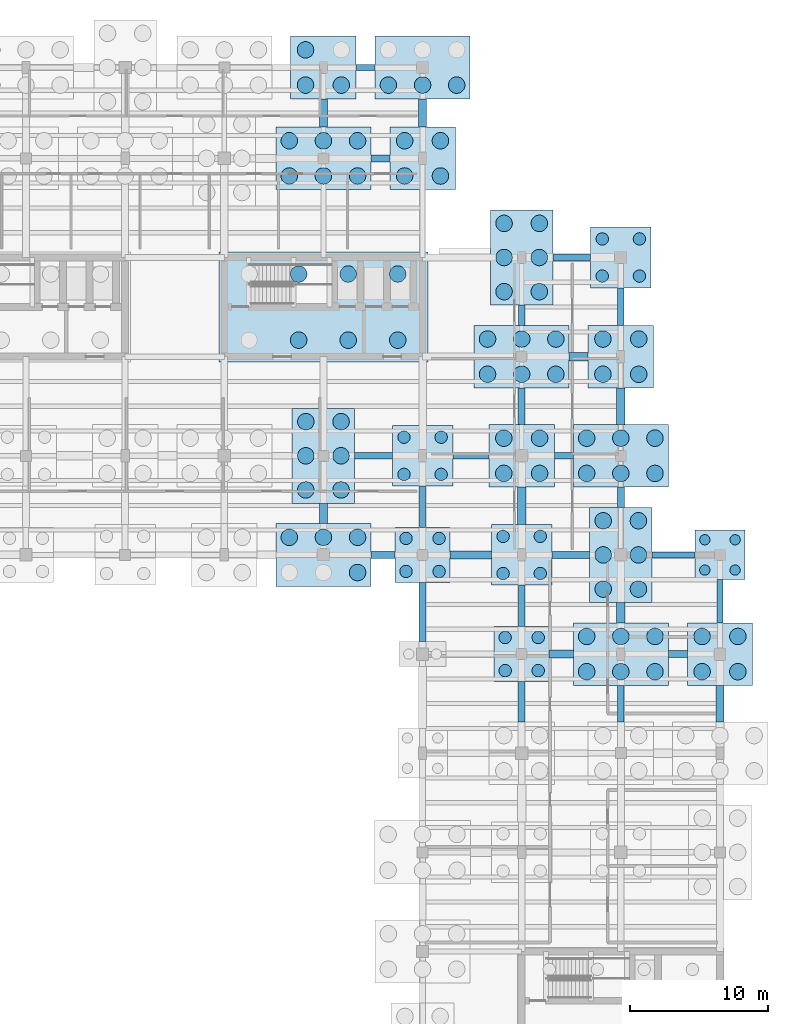
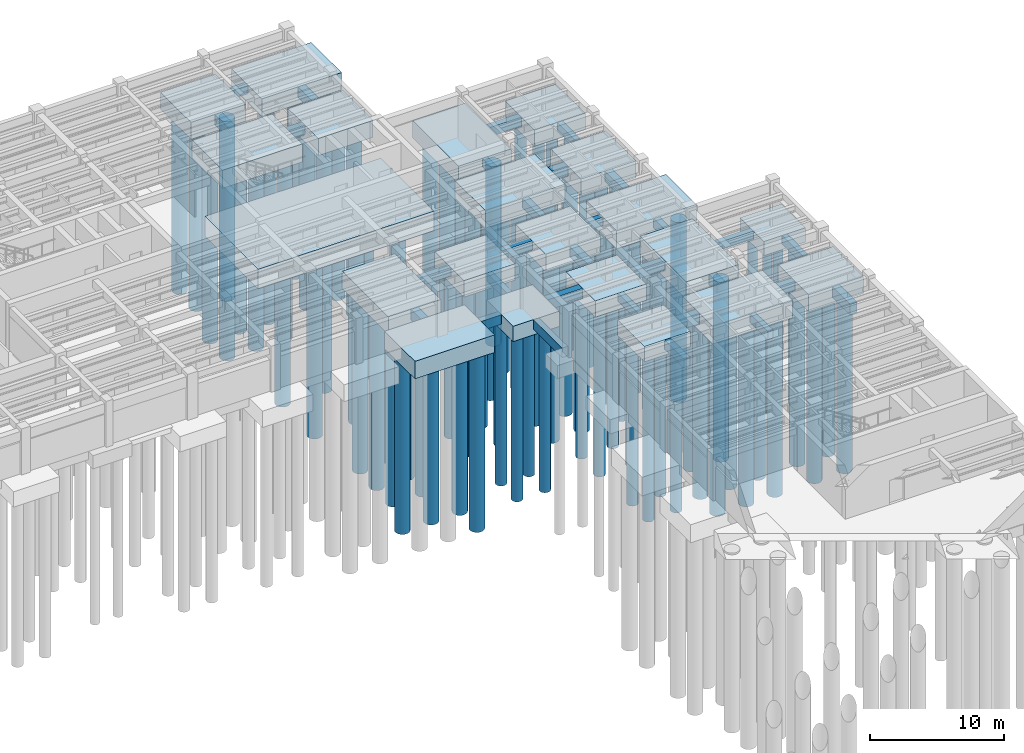
# One storey, part 4 of 22: 98 piles, 51 footings.
"""IFC4 building model written with IfcOpenShell, lengths in metres."""

from ifc_helpers import new_model, si_unit, direction, frame, origin, origin_2d, place, context, subcontext, project, spatial, rectangle, circle, extrude, material, material_profile, profile_set, type_object, element, save


model = new_model("IFC4")

# Units and contexts
model_context = context("Model", 3, precision=1e-05, world=origin(), true_north=direction((0.0, 1.0)))
body_context = subcontext(model_context, "Body", "Model", "MODEL_VIEW")
ifc_project = project(units=[si_unit("LENGTHUNIT", "METRE"), si_unit("AREAUNIT", "SQUARE_METRE"), si_unit("VOLUMEUNIT", "CUBIC_METRE"), si_unit("PLANEANGLEUNIT", "RADIAN"), si_unit("MASSUNIT", "GRAM", prefix="KILO")], contexts=[model_context])

# Site, building, storey
site_placement = place(None, origin())
site = spatial("IfcSite", under=ifc_project, at=site_placement, CompositionType="ELEMENT")
building_placement = place(site_placement, origin())
building = spatial("IfcBuilding", under=site, at=building_placement, Name="Mithqara Police Headquarters", CompositionType="ELEMENT")
storey_placement = place(building_placement, frame((0.0, 0.0, -8.39990234375)))
storey = spatial("IfcBuildingStorey", under=building, at=storey_placement, Name="B2", CompositionType="ELEMENT", Elevation=-8.39990234375)

# Footings
ifc_material = material(Name="Concrete C40/50", Category="concrete")
footing_type_1 = type_object("IfcFootingType", Name="CORE MAT 15200X8000X1800", PredefinedType="PILE_CAP", material=ifc_material)
footing_1_placement = place(storey_placement, frame((137.39990234375, 96.60009765625, -1.80029296875), z_axis=(0.0, 0.0, 1.0), x_axis=(1.0, 0.0, 0.0)))
element("IfcFooting", 1, at=footing_1_placement, inside=storey, type_object=footing_type_1, Name="Core C2 Command East Piled Core Raft", PredefinedType="PILE_CAP", context=body_context, shape_type="SweptSolid", body=[
    extrude(rectangle(XDim=15.199951171875, YDim=8.0, at=origin_2d()), origin(), (0.0, 0.0, 1.0), 1.800048828125),
])
footing_type_2 = type_object("IfcFootingType", Name="GROUND BEAM 450X750", PredefinedType="FOOTING_BEAM", material=ifc_material)
footing_2_placement = place(storey_placement, frame((141.03759765625, 85.800048828125, -0.75), z_axis=(0.0, 0.0, 1.0), x_axis=(1.0, 0.0, 0.0)))
element("IfcFooting", 2, at=footing_2_placement, inside=storey, type_object=footing_type_2, Name="B2 Ground Tie Beam 20-21/N", PredefinedType="FOOTING_BEAM", context=body_context, shape_type="SweptSolid", body=[
    extrude(rectangle(XDim=2.72509765625, YDim=0.449951171875, at=origin_2d()), origin(), (0.0, 0.0, 1.0), 0.75),
])
footing_3_placement = place(storey_placement, frame((140.46240234375, 114.0, -0.75), z_axis=(0.0, 0.0, 1.0), x_axis=(1.0, 0.0, 0.0)))
element("IfcFooting", 3, at=footing_3_placement, inside=storey, type_object=footing_type_2, Name="B2 Ground Tie Beam 20-21/S", PredefinedType="FOOTING_BEAM", context=body_context, shape_type="SweptSolid", body=[
    extrude(rectangle(XDim=1.375, YDim=0.449951171875, at=origin_2d()), origin(), (0.0, 0.0, 1.0), 0.75),
])
for number, where, z_axis, x_axis, name in (
    (4, (144.60009765625, 82.10009765625, -0.75), (0.0, 0.0, 1.0), (1.0, 0.0, 0.0), "B2 Ground Tie Beam 21/M-N"),
    (5, (151.800048828125, 74.89990234375, -0.75), (0.0, 0.0, 1.0), (1.0, 0.0, 0.0), "B2 Ground Tie Beam 22/L-M"),
):
    element("IfcFooting", number, at=place(storey_placement, frame(where, z_axis=z_axis, x_axis=x_axis)), inside=storey, type_object=footing_type_2, Name=name, PredefinedType="FOOTING_BEAM", context=body_context, shape_type="SweptSolid", body=[
        extrude(rectangle(XDim=0.449951171875, YDim=3.0, at=origin_2d()), origin(), (0.0, 0.0, 1.0), 0.75),
    ])
footing_4_placement = place(storey_placement, frame((154.862548828125, 85.800048828125, -0.75), z_axis=(0.0, 0.0, 1.0), x_axis=(1.0, 0.0, 0.0)))
element("IfcFooting", 6, at=footing_4_placement, inside=storey, type_object=footing_type_2, Name="B2 Ground Tie Beam 22-23/N", PredefinedType="FOOTING_BEAM", context=body_context, shape_type="SweptSolid", body=[
    extrude(rectangle(XDim=1.375, YDim=0.449951171875, at=origin_2d()), origin(), (0.0, 0.0, 1.0), 0.75),
])
footing_5_placement = place(storey_placement, frame((151.800048828125, 96.012451171875, -0.75), z_axis=(0.0, 0.0, 1.0), x_axis=(1.0, 0.0, 0.0)))
element("IfcFooting", 7, at=footing_5_placement, inside=storey, type_object=footing_type_2, Name="B2 Ground Tie Beam 22/P-Q", PredefinedType="FOOTING_BEAM", context=body_context, shape_type="SweptSolid", body=[
    extrude(rectangle(XDim=0.449951171875, YDim=1.47509765625, at=origin_2d()), origin(), (0.0, 0.0, 1.0), 0.75),
])
footing_6_placement = place(storey_placement, frame((159.0, 67.800048828125, -0.75), z_axis=(0.0, 0.0, 1.0), x_axis=(1.0, 0.0, 0.0)))
element("IfcFooting", 8, at=footing_6_placement, inside=storey, type_object=footing_type_2, Name="B2 Ground Tie Beam 23/K-L", PredefinedType="FOOTING_BEAM", context=body_context, shape_type="SweptSolid", body=[
    extrude(rectangle(XDim=0.449951171875, YDim=2.64990234375, at=origin_2d()), origin(), (0.0, 0.0, 1.0), 0.75),
])
footing_7_placement = place(storey_placement, frame((162.83740234375, 78.60009765625, -0.75), z_axis=(0.0, 0.0, 1.0), x_axis=(1.0, 0.0, 0.0)))
element("IfcFooting", 9, at=footing_7_placement, inside=storey, type_object=footing_type_2, Name="B2 Ground Tie Beam 23-24/M", PredefinedType="FOOTING_BEAM", context=body_context, shape_type="SweptSolid", body=[
    extrude(rectangle(XDim=3.125, YDim=0.449951171875, at=origin_2d()), origin(), (0.0, 0.0, 1.0), 0.75),
])
footing_8_placement = place(storey_placement, frame((159.0, 96.637451171875, -0.75), z_axis=(0.0, 0.0, 1.0), x_axis=(1.0, 0.0, 0.0)))
element("IfcFooting", 10, at=footing_8_placement, inside=storey, type_object=footing_type_2, Name="B2 Ground Tie Beam 23/P-Q", PredefinedType="FOOTING_BEAM", context=body_context, shape_type="SweptSolid", body=[
    extrude(rectangle(XDim=0.449951171875, YDim=2.72509765625, at=origin_2d()), origin(), (0.0, 0.0, 1.0), 0.75),
])
footing_9_placement = place(storey_placement, frame((166.199951171875, 75.237548828125, -0.75), z_axis=(0.0, 0.0, 1.0), x_axis=(1.0, 0.0, 0.0)))
element("IfcFooting", 11, at=footing_9_placement, inside=storey, type_object=footing_type_2, Name="B2 Ground Tie Beam 24/L-M", PredefinedType="FOOTING_BEAM", context=body_context, shape_type="SweptSolid", body=[
    extrude(rectangle(XDim=0.449951171875, YDim=3.125, at=origin_2d()), origin(), (0.0, 0.0, 1.0), 0.75),
])
footing_type_3 = type_object("IfcFootingType", Name="GROUND BEAM 500X850", PredefinedType="FOOTING_BEAM", material=ifc_material)
footing_10_placement = place(storey_placement, frame((141.72509765625, 78.60009765625, -0.85009765625), z_axis=(0.0, 0.0, 1.0), x_axis=(1.0, 0.0, 0.0)))
element("IfcFooting", 12, at=footing_10_placement, inside=storey, type_object=footing_type_3, Name="B2 Ground Tie Beam 20-21/M", PredefinedType="FOOTING_BEAM", context=body_context, shape_type="SweptSolid", body=[
    extrude(rectangle(XDim=1.75, YDim=0.5, at=origin_2d()), origin(), (0.0, 0.0, 1.0), 0.85009765625),
])
footing_11_placement = place(storey_placement, frame((141.53759765625, 107.39990234375, -0.85009765625), z_axis=(0.0, 0.0, 1.0), x_axis=(1.0, 0.0, 0.0)))
element("IfcFooting", 13, at=footing_11_placement, inside=storey, type_object=footing_type_3, Name="B2 Ground Tie Beam 20-21/R", PredefinedType="FOOTING_BEAM", context=body_context, shape_type="SweptSolid", body=[
    extrude(rectangle(XDim=1.375, YDim=0.5, at=origin_2d()), origin(), (0.0, 0.0, 1.0), 0.85009765625),
])
footing_12_placement = place(storey_placement, frame((144.60009765625, 74.449951171875, -0.85009765625), z_axis=(0.0, 0.0, 1.0), x_axis=(1.0, 0.0, 0.0)))
element("IfcFooting", 14, at=footing_12_placement, inside=storey, type_object=footing_type_3, Name="B2 Ground Tie Beam 21/L-M", PredefinedType="FOOTING_BEAM", context=body_context, shape_type="SweptSolid", body=[
    extrude(rectangle(XDim=0.5, YDim=4.300048828125, at=origin_2d()), origin(), (0.0, 0.0, 1.0), 0.85009765625),
])
footing_13_placement = place(storey_placement, frame((148.112548828125, 85.800048828125, -0.85009765625), z_axis=(0.0, 0.0, 1.0), x_axis=(1.0, 0.0, 0.0)))
element("IfcFooting", 15, at=footing_13_placement, inside=storey, type_object=footing_type_3, Name="B2 Ground Tie Beam 21-22/N", PredefinedType="FOOTING_BEAM", context=body_context, shape_type="SweptSolid", body=[
    extrude(rectangle(XDim=2.625, YDim=0.5, at=origin_2d()), origin(), (0.0, 0.0, 1.0), 0.85009765625),
])
footing_14_placement = place(storey_placement, frame((151.800048828125, 67.9375, -0.85009765625), z_axis=(0.0, 0.0, 1.0), x_axis=(1.0, 0.0, 0.0)))
element("IfcFooting", 16, at=footing_14_placement, inside=storey, type_object=footing_type_3, Name="B2 Ground Tie Beam 22/K-L", PredefinedType="FOOTING_BEAM", context=body_context, shape_type="SweptSolid", body=[
    extrude(rectangle(XDim=0.5, YDim=2.925048828125, at=origin_2d()), origin(), (0.0, 0.0, 1.0), 0.85009765625),
])
footing_15_placement = place(storey_placement, frame((155.362548828125, 78.60009765625, -0.85009765625), z_axis=(0.0, 0.0, 1.0), x_axis=(1.0, 0.0, 0.0)))
element("IfcFooting", 17, at=footing_15_placement, inside=storey, type_object=footing_type_3, Name="B2 Ground Tie Beam 22-23/M", PredefinedType="FOOTING_BEAM", context=body_context, shape_type="SweptSolid", body=[
    extrude(rectangle(XDim=2.72509765625, YDim=0.5, at=origin_2d()), origin(), (0.0, 0.0, 1.0), 0.85009765625),
])
footing_16_placement = place(storey_placement, frame((151.800048828125, 89.39990234375, -0.85009765625), z_axis=(0.0, 0.0, 1.0), x_axis=(1.0, 0.0, 0.0)))
element("IfcFooting", 18, at=footing_16_placement, inside=storey, type_object=footing_type_3, Name="B2 Ground Tie Beam 22/N-P", PredefinedType="FOOTING_BEAM", context=body_context, shape_type="SweptSolid", body=[
    extrude(rectangle(XDim=0.5, YDim=2.64990234375, at=origin_2d()), origin(), (0.0, 0.0, 1.0), 0.85009765625),
])
footing_17_placement = place(storey_placement, frame((155.4375, 100.199951171875, -0.85009765625), z_axis=(0.0, 0.0, 1.0), x_axis=(1.0, 0.0, 0.0)))
element("IfcFooting", 19, at=footing_17_placement, inside=storey, type_object=footing_type_3, Name="B2 Ground Tie Beam 22-23/Q", PredefinedType="FOOTING_BEAM", context=body_context, shape_type="SweptSolid", body=[
    extrude(rectangle(XDim=2.72509765625, YDim=0.5, at=origin_2d()), origin(), (0.0, 0.0, 1.0), 0.85009765625),
])
footing_18_placement = place(storey_placement, frame((163.137451171875, 71.39990234375, -0.85009765625), z_axis=(0.0, 0.0, 1.0), x_axis=(1.0, 0.0, 0.0)))
element("IfcFooting", 20, at=footing_18_placement, inside=storey, type_object=footing_type_3, Name="B2 Ground Tie Beam 23-24/L", PredefinedType="FOOTING_BEAM", context=body_context, shape_type="SweptSolid", body=[
    extrude(rectangle(XDim=1.375, YDim=0.5, at=origin_2d()), origin(), (0.0, 0.0, 1.0), 0.85009765625),
])
footing_19_placement = place(storey_placement, frame((159.0, 82.78759765625, -0.85009765625), z_axis=(0.0, 0.0, 1.0), x_axis=(1.0, 0.0, 0.0)))
element("IfcFooting", 21, at=footing_19_placement, inside=storey, type_object=footing_type_3, Name="B2 Ground Tie Beam 23/M-N", PredefinedType="FOOTING_BEAM", context=body_context, shape_type="SweptSolid", body=[
    extrude(rectangle(XDim=0.5, YDim=1.47509765625, at=origin_2d()), origin(), (0.0, 0.0, 1.0), 0.85009765625),
])
footing_type_4 = type_object("IfcFootingType", Name="GROUND BEAM 600X950", PredefinedType="FOOTING_BEAM", material=ifc_material)
footing_20_placement = place(storey_placement, frame((137.39990234375, 81.612548828125, -0.9501953125), z_axis=(0.0, 0.0, 1.0), x_axis=(1.0, 0.0, 0.0)))
element("IfcFooting", 22, at=footing_20_placement, inside=storey, type_object=footing_type_4, Name="B2 Ground Tie Beam 20/M-N", PredefinedType="FOOTING_BEAM", context=body_context, shape_type="SweptSolid", body=[
    extrude(rectangle(XDim=0.60009765625, YDim=1.47509765625, at=origin_2d()), origin(), (0.0, 0.0, 1.0), 0.949951171875),
])
footing_21_placement = place(storey_placement, frame((137.39990234375, 110.699951171875, -0.9501953125), z_axis=(0.0, 0.0, 1.0), x_axis=(1.0, 0.0, 0.0)))
element("IfcFooting", 23, at=footing_21_placement, inside=storey, type_object=footing_type_4, Name="B2 Ground Tie Beam 20/R-S", PredefinedType="FOOTING_BEAM", context=body_context, shape_type="SweptSolid", body=[
    extrude(rectangle(XDim=0.60009765625, YDim=2.050048828125, at=origin_2d()), origin(), (0.0, 0.0, 1.0), 0.949951171875),
])
footing_22_placement = place(storey_placement, frame((148.10009765625, 78.60009765625, -0.9501953125), z_axis=(0.0, 0.0, 1.0), x_axis=(1.0, 0.0, 0.0)))
element("IfcFooting", 24, at=footing_22_placement, inside=storey, type_object=footing_type_4, Name="B2 Ground Tie Beam 21-22/M", PredefinedType="FOOTING_BEAM", context=body_context, shape_type="SweptSolid", body=[
    extrude(rectangle(XDim=3.0, YDim=0.60009765625, at=origin_2d()), origin(), (0.0, 0.0, 1.0), 0.949951171875),
])
footing_23_placement = place(storey_placement, frame((144.60009765625, 110.699951171875, -0.9501953125), z_axis=(0.0, 0.0, 1.0), x_axis=(1.0, 0.0, 0.0)))
element("IfcFooting", 25, at=footing_23_placement, inside=storey, type_object=footing_type_4, Name="B2 Ground Tie Beam 21/R-S", PredefinedType="FOOTING_BEAM", context=body_context, shape_type="SweptSolid", body=[
    extrude(rectangle(XDim=0.60009765625, YDim=2.050048828125, at=origin_2d()), origin(), (0.0, 0.0, 1.0), 0.949951171875),
])
footing_24_placement = place(storey_placement, frame((154.675048828125, 71.39990234375, -0.9501953125), z_axis=(0.0, 0.0, 1.0), x_axis=(1.0, 0.0, 0.0)))
element("IfcFooting", 26, at=footing_24_placement, inside=storey, type_object=footing_type_4, Name="B2 Ground Tie Beam 22-23/L", PredefinedType="FOOTING_BEAM", context=body_context, shape_type="SweptSolid", body=[
    extrude(rectangle(XDim=1.75, YDim=0.60009765625, at=origin_2d()), origin(), (0.0, 0.0, 1.0), 0.949951171875),
])
footing_25_placement = place(storey_placement, frame((151.800048828125, 82.16259765625, -0.9501953125), z_axis=(0.0, 0.0, 1.0), x_axis=(1.0, 0.0, 0.0)))
element("IfcFooting", 27, at=footing_25_placement, inside=storey, type_object=footing_type_4, Name="B2 Ground Tie Beam 22/M-N", PredefinedType="FOOTING_BEAM", context=body_context, shape_type="SweptSolid", body=[
    extrude(rectangle(XDim=0.60009765625, YDim=2.72509765625, at=origin_2d()), origin(), (0.0, 0.0, 1.0), 0.949951171875),
])
footing_26_placement = place(storey_placement, frame((155.9375, 93.0, -0.9501953125), z_axis=(0.0, 0.0, 1.0), x_axis=(1.0, 0.0, 0.0)))
element("IfcFooting", 28, at=footing_26_placement, inside=storey, type_object=footing_type_4, Name="B2 Ground Tie Beam 22-23/P", PredefinedType="FOOTING_BEAM", context=body_context, shape_type="SweptSolid", body=[
    extrude(rectangle(XDim=1.375, YDim=0.60009765625, at=origin_2d()), origin(), (0.0, 0.0, 1.0), 0.949951171875),
])
footing_27_placement = place(storey_placement, frame((159.0, 74.41259765625, -0.9501953125), z_axis=(0.0, 0.0, 1.0), x_axis=(1.0, 0.0, 0.0)))
element("IfcFooting", 29, at=footing_27_placement, inside=storey, type_object=footing_type_4, Name="B2 Ground Tie Beam 23/L-M", PredefinedType="FOOTING_BEAM", context=body_context, shape_type="SweptSolid", body=[
    extrude(rectangle(XDim=0.60009765625, YDim=1.47509765625, at=origin_2d()), origin(), (0.0, 0.0, 1.0), 0.949951171875),
])
for number, where, z_axis, x_axis, name in (
    (30, (159.0, 89.39990234375, -0.9501953125), (0.0, 0.0, 1.0), (1.0, 0.0, 0.0), "B2 Ground Tie Beam 23/N-P"),
    (31, (166.199951171875, 67.800048828125, -0.9501953125), (0.0, 0.0, 1.0), (1.0, 0.0, 0.0), "B2 Ground Tie Beam 24/K-L"),
):
    element("IfcFooting", number, at=place(storey_placement, frame(where, z_axis=z_axis, x_axis=x_axis)), inside=storey, type_object=footing_type_4, Name=name, PredefinedType="FOOTING_BEAM", context=body_context, shape_type="SweptSolid", body=[
        extrude(rectangle(XDim=0.60009765625, YDim=2.64990234375, at=origin_2d()), origin(), (0.0, 0.0, 1.0), 0.949951171875),
    ])
footing_type_5 = type_object("IfcFootingType", Name="PILE CAP 4P 3600X3600X1300", PredefinedType="PILE_CAP", material=ifc_material)
footing_28_placement = place(storey_placement, frame((166.199951171875, 78.60009765625, -1.30029296875), z_axis=(0.0, 0.0, 1.0), x_axis=(1.0, 0.0, 0.0)))
element("IfcFooting", 32, at=footing_28_placement, inside=storey, type_object=footing_type_5, Name="B2 Pile Cap 24/M", PredefinedType="PILE_CAP", context=body_context, shape_type="SweptSolid", body=[
    extrude(rectangle(XDim=3.60009765625, YDim=3.60009765625, at=origin_2d()), origin(), (0.0, 0.0, 1.0), 1.300048828125),
])
footing_type_6 = type_object("IfcFootingType", Name="PILE CAP 4P 4000X4000X1400", PredefinedType="PILE_CAP", material=ifc_material)
for number, where, z_axis, x_axis, name in (
    (33, (144.60009765625, 78.60009765625, -1.400146484375), (0.0, 0.0, 1.0), (1.0, 0.0, 0.0), "B2 Pile Cap 21/M"),
    (34, (151.800048828125, 71.39990234375, -1.400146484375), (0.0, 0.0, 1.0), (1.0, 0.0, 0.0), "B2 Pile Cap 22/L"),
):
    element("IfcFooting", number, at=place(storey_placement, frame(where, z_axis=z_axis, x_axis=x_axis)), inside=storey, type_object=footing_type_6, Name=name, PredefinedType="PILE_CAP", context=body_context, shape_type="SweptSolid", body=[
        extrude(rectangle(XDim=4.0, YDim=4.0, at=origin_2d()), origin(), (0.0, 0.0, 1.0), 1.39990234375),
    ])
footing_type_7 = type_object("IfcFootingType", Name="PILE CAP 4P 4400X4400X1500", PredefinedType="PILE_CAP", material=ifc_material)
for number, where, z_axis, x_axis, name in (
    (35, (144.60009765625, 85.800048828125, -1.5), (0.0, 0.0, 1.0), (1.0, 0.0, 0.0), "B2 Pile Cap 21/N"),
    (36, (151.800048828125, 78.60009765625, -1.5), (0.0, 0.0, 1.0), (1.0, 0.0, 0.0), "B2 Pile Cap 22/M"),
    (37, (159.0, 100.199951171875, -1.5), (0.0, 0.0, 1.0), (1.0, 0.0, 0.0), "B2 Pile Cap 23/Q"),
):
    element("IfcFooting", number, at=place(storey_placement, frame(where, z_axis=z_axis, x_axis=x_axis)), inside=storey, type_object=footing_type_7, Name=name, PredefinedType="PILE_CAP", context=body_context, shape_type="SweptSolid", body=[
        extrude(rectangle(XDim=4.39990234375, YDim=4.39990234375, at=origin_2d()), origin(), (0.0, 0.0, 1.0), 1.5),
    ])
footing_type_8 = type_object("IfcFootingType", Name="PILE CAP 4P 4600X4000X1550", PredefinedType="PILE_CAP", material=ifc_material)
for number, where, z_axis, x_axis, name in (
    (38, (137.39990234375, 114.0, -1.55029296875), (0.0, 0.0, 1.0), (1.0, 0.0, 0.0), "B2 Pile Cap 20/S"),
    (39, (144.60009765625, 107.39990234375, -1.55029296875), (0.0, 0.0, 1.0), (1.0, 0.0, 0.0), "B2 Pile Cap 21/R"),
    (40, (151.800048828125, 85.800048828125, -1.55029296875), (0.0, 0.0, 1.0), (1.0, 0.0, 0.0), "B2 Pile Cap 22/N"),
    (41, (159.0, 93.0, -1.55029296875), (0.0, 0.0, 1.0), (1.0, 0.0, 0.0), "B2 Pile Cap 23/P"),
    (42, (166.199951171875, 71.39990234375, -1.55029296875), (0.0, 0.0, 1.0), (1.0, 0.0, 0.0), "B2 Pile Cap 24/L"),
):
    element("IfcFooting", number, at=place(storey_placement, frame(where, z_axis=z_axis, x_axis=x_axis)), inside=storey, type_object=footing_type_8, Name=name, PredefinedType="PILE_CAP", context=body_context, shape_type="SweptSolid", body=[
        extrude(rectangle(XDim=4.75, YDim=4.550048828125, at=origin_2d()), origin(), (0.0, 0.0, 1.0), 1.550048828125),
    ])
footing_type_9 = type_object("IfcFootingType", Name="PILE CAP 6P 3800X6000X1600", PredefinedType="PILE_CAP", material=ifc_material)
for number, where, z_axis, x_axis, name in (
    (43, (137.39990234375, 85.800048828125, -1.60009765625), (0.0, 0.0, 1.0), (1.0, 0.0, 0.0), "B2 Pile Cap 20/N"),
    (44, (151.800048828125, 100.199951171875, -1.60009765625), (0.0, 0.0, 1.0), (1.0, 0.0, 0.0), "B2 Pile Cap 22/Q"),
    (45, (159.0, 78.60009765625, -1.60009765625), (0.0, 0.0, 1.0), (1.0, 0.0, 0.0), "B2 Pile Cap 23/M"),
):
    element("IfcFooting", number, at=place(storey_placement, frame(where, z_axis=z_axis, x_axis=x_axis)), inside=storey, type_object=footing_type_9, Name=name, PredefinedType="PILE_CAP", context=body_context, shape_type="SweptSolid", body=[
        extrude(rectangle(XDim=4.550048828125, YDim=6.89990234375, at=origin_2d()), origin(), (0.0, 0.0, 1.0), 1.60009765625),
    ])
footing_type_10 = type_object("IfcFootingType", Name="PILE CAP 6P 6000X3800X1600", PredefinedType="PILE_CAP", material=ifc_material)
for number, where, z_axis, x_axis, name in (
    (46, (137.39990234375, 78.60009765625, -1.60009765625), (0.0, 0.0, 1.0), (1.0, 0.0, 0.0), "B2 Pile Cap 20/M"),
    (47, (144.60009765625, 114.0, -1.60009765625), (0.0, 0.0, 1.0), (1.0, 0.0, 0.0), "B2 Pile Cap 21/S"),
    (48, (151.800048828125, 93.0, -1.60009765625), (0.0, 0.0, 1.0), (1.0, 0.0, 0.0), "B2 Pile Cap 22/P"),
    (49, (159.0, 71.39990234375, -1.60009765625), (0.0, 0.0, 1.0), (1.0, 0.0, 0.0), "B2 Pile Cap 23/L"),
):
    element("IfcFooting", number, at=place(storey_placement, frame(where, z_axis=z_axis, x_axis=x_axis)), inside=storey, type_object=footing_type_10, Name=name, PredefinedType="PILE_CAP", context=body_context, shape_type="SweptSolid", body=[
        extrude(rectangle(XDim=6.89990234375, YDim=4.550048828125, at=origin_2d()), origin(), (0.0, 0.0, 1.0), 1.60009765625),
    ])
footing_type_11 = type_object("IfcFootingType", Name="PILE CAP 6P 6200X4000X1650", PredefinedType="PILE_CAP", material=ifc_material)
for number, where, z_axis, x_axis, name in (
    (50, (137.39990234375, 107.39990234375, -1.650146484375), (0.0, 0.0, 1.0), (1.0, 0.0, 0.0), "B2 Pile Cap 20/R"),
    (51, (159.0, 85.800048828125, -1.650146484375), (0.0, 0.0, 1.0), (1.0, 0.0, 0.0), "B2 Pile Cap 23/N"),
):
    element("IfcFooting", number, at=place(storey_placement, frame(where, z_axis=z_axis, x_axis=x_axis)), inside=storey, type_object=footing_type_11, Name=name, PredefinedType="PILE_CAP", context=body_context, shape_type="SweptSolid", body=[
        extrude(rectangle(XDim=6.89990234375, YDim=4.550048828125, at=origin_2d()), origin(), (0.0, 0.0, 1.0), 1.64990234375),
    ])

# Piles
ifc_material_profile_1 = material_profile(ifc_material, circle(Radius=0.60009765625, at=origin_2d()), Name="PILE D1200")
ifc_profile_set_1 = profile_set([ifc_material_profile_1], Name="Concrete C40/50")
pile_type_1 = type_object("IfcPileType", Name="PILE D1200 16M", PredefinedType="BORED", material=ifc_profile_set_1)
for number, where, z_axis, x_axis, name in (
    (52, (135.60009765625, 94.199951171875, -1.650146484375), (0.0, 0.0, -1.0), (1.0, 0.0, 0.0), "Core C2 Command East Bored Pile 2"),
    (53, (139.199951171875, 94.199951171875, -1.650146484375), (0.0, 0.0, -1.0), (1.0, 0.0, 0.0), "Core C2 Command East Bored Pile 3"),
    (54, (142.800048828125, 94.199951171875, -1.650146484375), (0.0, 0.0, -1.0), (1.0, 0.0, 0.0), "Core C2 Command East Bored Pile 4"),
    (55, (135.60009765625, 99.0, -1.650146484375), (0.0, 0.0, -1.0), (1.0, 0.0, 0.0), "Core C2 Command East Bored Pile 6"),
    (56, (139.199951171875, 99.0, -1.650146484375), (0.0, 0.0, -1.0), (1.0, 0.0, 0.0), "Core C2 Command East Bored Pile 7"),
    (57, (142.800048828125, 99.0, -1.650146484375), (0.0, 0.0, -1.0), (1.0, 0.0, 0.0), "Core C2 Command East Bored Pile 8"),
    (58, (139.8798828125, 77.320068359375, -1.4501953125), (0.0, 0.0, -1.0), (1.0, 0.0, 0.0), "Bored Pile 20/M-3"),
    (59, (134.919921875, 79.8798828125, -1.4501953125), (0.0, 0.0, -1.0), (1.0, 0.0, 0.0), "Bored Pile 20/M-4"),
    (60, (137.39990234375, 79.8798828125, -1.4501953125), (0.0, 0.0, -1.0), (1.0, 0.0, 0.0), "Bored Pile 20/M-5"),
    (61, (139.8798828125, 79.8798828125, -1.4501953125), (0.0, 0.0, -1.0), (1.0, 0.0, 0.0), "Bored Pile 20/M-6"),
    (62, (136.1201171875, 83.320068359375, -1.4501953125), (0.0, 0.0, -1.0), (1.0, 0.0, 0.0), "Bored Pile 20/N-1"),
    (63, (138.679931640625, 83.320068359375, -1.4501953125), (0.0, 0.0, -1.0), (1.0, 0.0, 0.0), "Bored Pile 20/N-2"),
    (64, (136.1201171875, 85.800048828125, -1.4501953125), (0.0, 0.0, -1.0), (1.0, 0.0, 0.0), "Bored Pile 20/N-3"),
    (65, (138.679931640625, 85.800048828125, -1.4501953125), (0.0, 0.0, -1.0), (1.0, 0.0, 0.0), "Bored Pile 20/N-4"),
    (66, (136.1201171875, 88.280029296875, -1.4501953125), (0.0, 0.0, -1.0), (1.0, 0.0, 0.0), "Bored Pile 20/N-5"),
    (67, (138.679931640625, 88.280029296875, -1.4501953125), (0.0, 0.0, -1.0), (1.0, 0.0, 0.0), "Bored Pile 20/N-6"),
    (68, (134.919921875, 106.1201171875, -1.5), (0.0, 0.0, -1.0), (1.0, 0.0, 0.0), "Bored Pile 20/R-1"),
    (69, (137.39990234375, 106.1201171875, -1.5), (0.0, 0.0, -1.0), (1.0, 0.0, 0.0), "Bored Pile 20/R-2"),
    (70, (139.8798828125, 106.1201171875, -1.5), (0.0, 0.0, -1.0), (1.0, 0.0, 0.0), "Bored Pile 20/R-3"),
    (71, (134.919921875, 108.679931640625, -1.5), (0.0, 0.0, -1.0), (1.0, 0.0, 0.0), "Bored Pile 20/R-4"),
    (72, (137.39990234375, 108.679931640625, -1.5), (0.0, 0.0, -1.0), (1.0, 0.0, 0.0), "Bored Pile 20/R-5"),
    (73, (139.8798828125, 108.679931640625, -1.5), (0.0, 0.0, -1.0), (1.0, 0.0, 0.0), "Bored Pile 20/R-6"),
    (74, (136.10009765625, 112.719970703125, -1.400146484375), (0.0, 0.0, -1.0), (1.0, 0.0, 0.0), "Bored Pile 20/S-1"),
    (75, (138.699951171875, 112.719970703125, -1.400146484375), (0.0, 0.0, -1.0), (1.0, 0.0, 0.0), "Bored Pile 20/S-2"),
    (76, (136.10009765625, 115.280029296875, -1.400146484375), (0.0, 0.0, -1.0), (1.0, 0.0, 0.0), "Bored Pile 20/S-3"),
    (77, (143.300048828125, 106.1201171875, -1.400146484375), (0.0, 0.0, -1.0), (1.0, 0.0, 0.0), "Bored Pile 21/R-1"),
    (78, (145.89990234375, 106.1201171875, -1.400146484375), (0.0, 0.0, -1.0), (1.0, 0.0, 0.0), "Bored Pile 21/R-2"),
    (79, (143.300048828125, 108.679931640625, -1.400146484375), (0.0, 0.0, -1.0), (1.0, 0.0, 0.0), "Bored Pile 21/R-3"),
    (80, (145.89990234375, 108.679931640625, -1.400146484375), (0.0, 0.0, -1.0), (1.0, 0.0, 0.0), "Bored Pile 21/R-4"),
    (81, (142.1201171875, 112.719970703125, -1.4501953125), (0.0, 0.0, -1.0), (1.0, 0.0, 0.0), "Bored Pile 21/S-1"),
    (82, (144.60009765625, 112.719970703125, -1.4501953125), (0.0, 0.0, -1.0), (1.0, 0.0, 0.0), "Bored Pile 21/S-2"),
    (83, (147.080078125, 112.719970703125, -1.4501953125), (0.0, 0.0, -1.0), (1.0, 0.0, 0.0), "Bored Pile 21/S-3"),
    (84, (150.5, 84.52001953125, -1.400146484375), (0.0, 0.0, -1.0), (1.0, 0.0, 0.0), "Bored Pile 22/N-1"),
    (85, (153.10009765625, 84.52001953125, -1.400146484375), (0.0, 0.0, -1.0), (1.0, 0.0, 0.0), "Bored Pile 22/N-2"),
    (86, (150.5, 87.080078125, -1.400146484375), (0.0, 0.0, -1.0), (1.0, 0.0, 0.0), "Bored Pile 22/N-3"),
    (87, (153.10009765625, 87.080078125, -1.400146484375), (0.0, 0.0, -1.0), (1.0, 0.0, 0.0), "Bored Pile 22/N-4"),
    (88, (149.320068359375, 91.719970703125, -1.4501953125), (0.0, 0.0, -1.0), (1.0, 0.0, 0.0), "Bored Pile 22/P-1"),
    (89, (151.800048828125, 91.719970703125, -1.4501953125), (0.0, 0.0, -1.0), (1.0, 0.0, 0.0), "Bored Pile 22/P-2"),
    (90, (154.280029296875, 91.719970703125, -1.4501953125), (0.0, 0.0, -1.0), (1.0, 0.0, 0.0), "Bored Pile 22/P-3"),
    (91, (149.320068359375, 94.280029296875, -1.4501953125), (0.0, 0.0, -1.0), (1.0, 0.0, 0.0), "Bored Pile 22/P-4"),
    (92, (151.800048828125, 94.280029296875, -1.4501953125), (0.0, 0.0, -1.0), (1.0, 0.0, 0.0), "Bored Pile 22/P-5"),
    (93, (154.280029296875, 94.280029296875, -1.4501953125), (0.0, 0.0, -1.0), (1.0, 0.0, 0.0), "Bored Pile 22/P-6"),
    (94, (150.52001953125, 97.719970703125, -1.4501953125), (0.0, 0.0, -1.0), (1.0, 0.0, 0.0), "Bored Pile 22/Q-1"),
    (95, (153.080078125, 97.719970703125, -1.4501953125), (0.0, 0.0, -1.0), (1.0, 0.0, 0.0), "Bored Pile 22/Q-2"),
    (96, (150.52001953125, 100.199951171875, -1.4501953125), (0.0, 0.0, -1.0), (1.0, 0.0, 0.0), "Bored Pile 22/Q-3"),
    (97, (153.080078125, 100.199951171875, -1.4501953125), (0.0, 0.0, -1.0), (1.0, 0.0, 0.0), "Bored Pile 22/Q-4"),
    (98, (150.52001953125, 102.679931640625, -1.4501953125), (0.0, 0.0, -1.0), (1.0, 0.0, 0.0), "Bored Pile 22/Q-5"),
    (99, (153.080078125, 102.679931640625, -1.4501953125), (0.0, 0.0, -1.0), (1.0, 0.0, 0.0), "Bored Pile 22/Q-6"),
    (100, (156.52001953125, 70.1201171875, -1.4501953125), (0.0, 0.0, -1.0), (1.0, 0.0, 0.0), "Bored Pile 23/L-1"),
    (101, (159.0, 70.1201171875, -1.4501953125), (0.0, 0.0, -1.0), (1.0, 0.0, 0.0), "Bored Pile 23/L-2"),
    (102, (161.47998046875, 70.1201171875, -1.4501953125), (0.0, 0.0, -1.0), (1.0, 0.0, 0.0), "Bored Pile 23/L-3"),
    (103, (156.52001953125, 72.679931640625, -1.4501953125), (0.0, 0.0, -1.0), (1.0, 0.0, 0.0), "Bored Pile 23/L-4"),
    (104, (159.0, 72.679931640625, -1.4501953125), (0.0, 0.0, -1.0), (1.0, 0.0, 0.0), "Bored Pile 23/L-5"),
    (105, (161.47998046875, 72.679931640625, -1.4501953125), (0.0, 0.0, -1.0), (1.0, 0.0, 0.0), "Bored Pile 23/L-6"),
    (106, (157.719970703125, 76.1201171875, -1.4501953125), (0.0, 0.0, -1.0), (1.0, 0.0, 0.0), "Bored Pile 23/M-1"),
    (107, (160.280029296875, 76.1201171875, -1.4501953125), (0.0, 0.0, -1.0), (1.0, 0.0, 0.0), "Bored Pile 23/M-2"),
    (108, (157.719970703125, 78.60009765625, -1.4501953125), (0.0, 0.0, -1.0), (1.0, 0.0, 0.0), "Bored Pile 23/M-3"),
    (109, (160.280029296875, 78.60009765625, -1.4501953125), (0.0, 0.0, -1.0), (1.0, 0.0, 0.0), "Bored Pile 23/M-4"),
    (110, (157.719970703125, 81.080078125, -1.4501953125), (0.0, 0.0, -1.0), (1.0, 0.0, 0.0), "Bored Pile 23/M-5"),
    (111, (160.280029296875, 81.080078125, -1.4501953125), (0.0, 0.0, -1.0), (1.0, 0.0, 0.0), "Bored Pile 23/M-6"),
    (112, (156.52001953125, 84.52001953125, -1.5), (0.0, 0.0, -1.0), (1.0, 0.0, 0.0), "Bored Pile 23/N-1"),
    (113, (159.0, 84.52001953125, -1.5), (0.0, 0.0, -1.0), (1.0, 0.0, 0.0), "Bored Pile 23/N-2"),
    (114, (161.47998046875, 84.52001953125, -1.5), (0.0, 0.0, -1.0), (1.0, 0.0, 0.0), "Bored Pile 23/N-3"),
    (115, (156.52001953125, 87.080078125, -1.5), (0.0, 0.0, -1.0), (1.0, 0.0, 0.0), "Bored Pile 23/N-4"),
    (116, (159.0, 87.080078125, -1.5), (0.0, 0.0, -1.0), (1.0, 0.0, 0.0), "Bored Pile 23/N-5"),
    (117, (161.47998046875, 87.080078125, -1.5), (0.0, 0.0, -1.0), (1.0, 0.0, 0.0), "Bored Pile 23/N-6"),
    (118, (157.699951171875, 91.719970703125, -1.400146484375), (0.0, 0.0, -1.0), (1.0, 0.0, 0.0), "Bored Pile 23/P-1"),
    (119, (160.300048828125, 91.719970703125, -1.400146484375), (0.0, 0.0, -1.0), (1.0, 0.0, 0.0), "Bored Pile 23/P-2"),
    (120, (157.699951171875, 94.280029296875, -1.400146484375), (0.0, 0.0, -1.0), (1.0, 0.0, 0.0), "Bored Pile 23/P-3"),
    (121, (160.300048828125, 94.280029296875, -1.400146484375), (0.0, 0.0, -1.0), (1.0, 0.0, 0.0), "Bored Pile 23/P-4"),
    (122, (164.89990234375, 70.1201171875, -1.400146484375), (0.0, 0.0, -1.0), (1.0, 0.0, 0.0), "Bored Pile 24/L-1"),
    (123, (167.5, 70.1201171875, -1.400146484375), (0.0, 0.0, -1.0), (1.0, 0.0, 0.0), "Bored Pile 24/L-2"),
    (124, (164.89990234375, 72.679931640625, -1.400146484375), (0.0, 0.0, -1.0), (1.0, 0.0, 0.0), "Bored Pile 24/L-3"),
    (125, (167.5, 72.679931640625, -1.400146484375), (0.0, 0.0, -1.0), (1.0, 0.0, 0.0), "Bored Pile 24/L-4"),
):
    element("IfcPile", number, at=place(storey_placement, frame(where, z_axis=z_axis, x_axis=x_axis)), inside=storey, type_object=pile_type_1, Name=name, PredefinedType="BORED", context=body_context, shape_type="SweptSolid", body=[
        extrude(circle(Radius=0.60009765625, at=origin_2d()), origin(), (0.0, 0.0, 1.0), 16.449951171875),
    ])
ifc_material_profile_2 = material_profile(ifc_material, circle(Radius=0.375, at=origin_2d()), Name="PILE D750")
ifc_profile_set_2 = profile_set([ifc_material_profile_2], Name="Concrete C40/50")
pile_type_2 = type_object("IfcPileType", Name="PILE D750 14M", PredefinedType="BORED", material=ifc_profile_set_2)
for number, where, z_axis, x_axis, name in (
    (126, (165.10009765625, 77.5, -1.150146484375), (0.0, 0.0, -1.0), (1.0, 0.0, 0.0), "Bored Pile 24/M-1"),
    (127, (167.300048828125, 77.5, -1.150146484375), (0.0, 0.0, -1.0), (1.0, 0.0, 0.0), "Bored Pile 24/M-2"),
    (128, (165.10009765625, 79.699951171875, -1.150146484375), (0.0, 0.0, -1.0), (1.0, 0.0, 0.0), "Bored Pile 24/M-3"),
    (129, (167.300048828125, 79.699951171875, -1.150146484375), (0.0, 0.0, -1.0), (1.0, 0.0, 0.0), "Bored Pile 24/M-4"),
):
    element("IfcPile", number, at=place(storey_placement, frame(where, z_axis=z_axis, x_axis=x_axis)), inside=storey, type_object=pile_type_2, Name=name, PredefinedType="BORED", context=body_context, shape_type="SweptSolid", body=[
        extrude(circle(Radius=0.375, at=origin_2d()), origin(), (0.0, 0.0, 1.0), 14.949951171875),
    ])
ifc_material_profile_3 = material_profile(ifc_material, circle(Radius=0.449951171875, at=origin_2d()), Name="PILE D900")
ifc_profile_set_3 = profile_set([ifc_material_profile_3], Name="Concrete C40/50")
pile_type_3 = type_object("IfcPileType", Name="PILE D900 15M", PredefinedType="BORED", material=ifc_profile_set_3)
for number, where, z_axis, x_axis, name in (
    (130, (143.39990234375, 77.39990234375, -1.25), (0.0, 0.0, -1.0), (1.0, 0.0, 0.0), "Bored Pile 21/M-1"),
    (131, (145.800048828125, 77.39990234375, -1.25), (0.0, 0.0, -1.0), (1.0, 0.0, 0.0), "Bored Pile 21/M-2"),
    (132, (143.39990234375, 79.800048828125, -1.25), (0.0, 0.0, -1.0), (1.0, 0.0, 0.0), "Bored Pile 21/M-3"),
    (133, (145.800048828125, 79.800048828125, -1.25), (0.0, 0.0, -1.0), (1.0, 0.0, 0.0), "Bored Pile 21/M-4"),
    (134, (143.25, 84.449951171875, -1.35009765625), (0.0, 0.0, -1.0), (1.0, 0.0, 0.0), "Bored Pile 21/N-1"),
    (135, (145.949951171875, 84.449951171875, -1.35009765625), (0.0, 0.0, -1.0), (1.0, 0.0, 0.0), "Bored Pile 21/N-2"),
    (136, (143.25, 87.14990234375, -1.35009765625), (0.0, 0.0, -1.0), (1.0, 0.0, 0.0), "Bored Pile 21/N-3"),
    (137, (145.949951171875, 87.14990234375, -1.35009765625), (0.0, 0.0, -1.0), (1.0, 0.0, 0.0), "Bored Pile 21/N-4"),
    (138, (150.60009765625, 70.199951171875, -1.25), (0.0, 0.0, -1.0), (1.0, 0.0, 0.0), "Bored Pile 22/L-1"),
    (139, (153.0, 70.199951171875, -1.25), (0.0, 0.0, -1.0), (1.0, 0.0, 0.0), "Bored Pile 22/L-2"),
    (140, (150.60009765625, 72.60009765625, -1.25), (0.0, 0.0, -1.0), (1.0, 0.0, 0.0), "Bored Pile 22/L-3"),
    (141, (153.0, 72.60009765625, -1.25), (0.0, 0.0, -1.0), (1.0, 0.0, 0.0), "Bored Pile 22/L-4"),
    (142, (150.449951171875, 77.25, -1.35009765625), (0.0, 0.0, -1.0), (1.0, 0.0, 0.0), "Bored Pile 22/M-1"),
    (143, (153.14990234375, 77.25, -1.35009765625), (0.0, 0.0, -1.0), (1.0, 0.0, 0.0), "Bored Pile 22/M-2"),
    (144, (150.449951171875, 79.949951171875, -1.35009765625), (0.0, 0.0, -1.0), (1.0, 0.0, 0.0), "Bored Pile 22/M-3"),
    (145, (153.14990234375, 79.949951171875, -1.35009765625), (0.0, 0.0, -1.0), (1.0, 0.0, 0.0), "Bored Pile 22/M-4"),
    (146, (157.64990234375, 98.85009765625, -1.35009765625), (0.0, 0.0, -1.0), (1.0, 0.0, 0.0), "Bored Pile 23/Q-1"),
    (147, (160.35009765625, 98.85009765625, -1.35009765625), (0.0, 0.0, -1.0), (1.0, 0.0, 0.0), "Bored Pile 23/Q-2"),
    (148, (157.64990234375, 101.550048828125, -1.35009765625), (0.0, 0.0, -1.0), (1.0, 0.0, 0.0), "Bored Pile 23/Q-3"),
    (149, (160.35009765625, 101.550048828125, -1.35009765625), (0.0, 0.0, -1.0), (1.0, 0.0, 0.0), "Bored Pile 23/Q-4"),
):
    element("IfcPile", number, at=place(storey_placement, frame(where, z_axis=z_axis, x_axis=x_axis)), inside=storey, type_object=pile_type_3, Name=name, PredefinedType="BORED", context=body_context, shape_type="SweptSolid", body=[
        extrude(circle(Radius=0.449951171875, at=origin_2d()), origin(), (0.0, 0.0, 1.0), 15.25),
    ])

save(model, "model.ifc")
